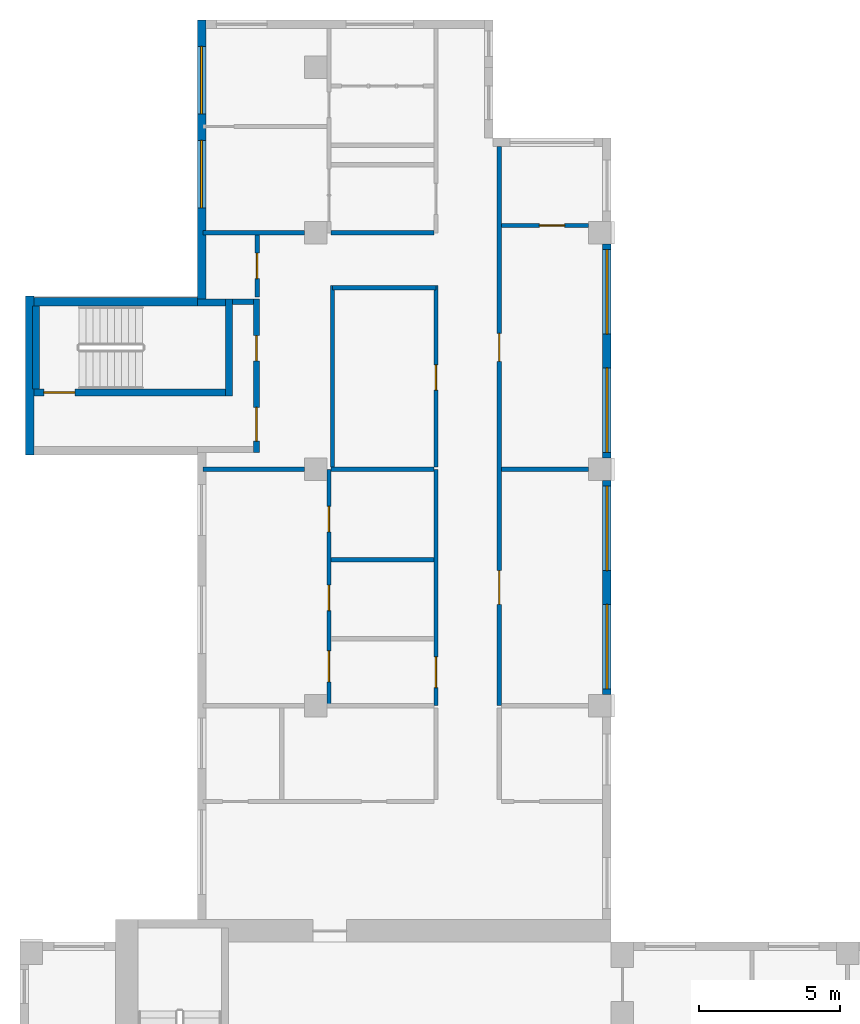
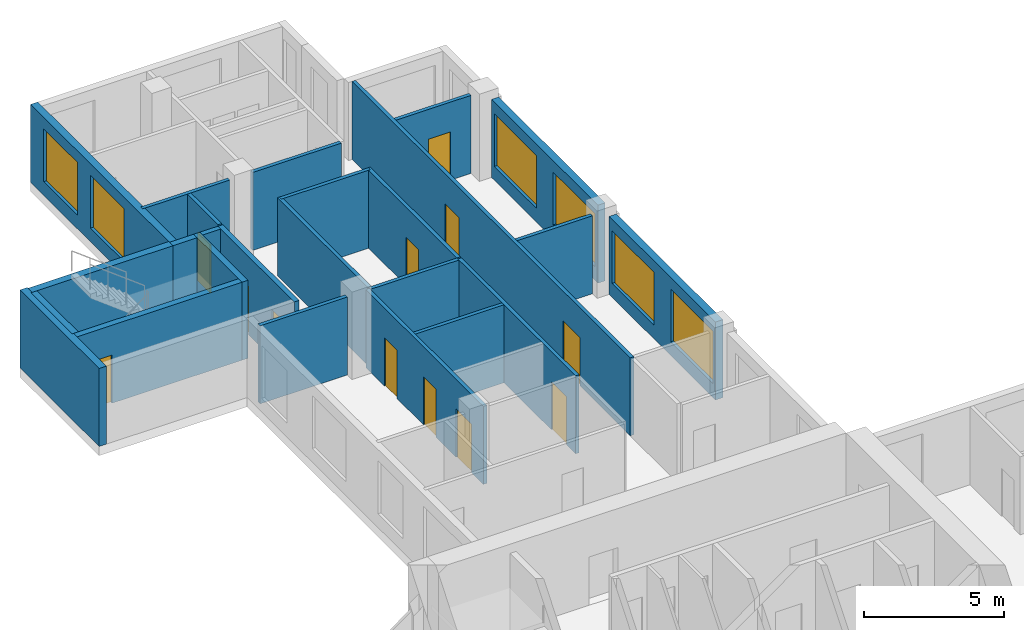
# One storey, part 6 of 11: 25 walls, 12 doors, 6 windows, 18 openings.
"""IFC4 building model written with IfcOpenShell, lengths in metres."""

from ifc_helpers import new_model, si_unit, direction, frame, frame_2d, origin, place, context, subcontext, project, spatial, rectangle, extrude, source, transform, mapped, material, layer, layer_set, type_object, element, fill, save


model = new_model("IFC4")

# Units and contexts
model_context = context("Model", 3, precision=1e-05, world=origin(), true_north=direction((0.0, 1.0)))
body_context = subcontext(model_context, "Body", "Model", "MODEL_VIEW")
ifc_project = project(units=[si_unit("LENGTHUNIT", "METRE"), si_unit("AREAUNIT", "SQUARE_METRE"), si_unit("VOLUMEUNIT", "CUBIC_METRE"), si_unit("PLANEANGLEUNIT", "RADIAN"), si_unit("MASSUNIT", "GRAM", prefix="KILO")], contexts=[model_context])

# Site, building, storey
site_placement = place(None, origin())
site = spatial("IfcSite", under=ifc_project, at=site_placement, CompositionType="ELEMENT")
building_placement = place(site_placement, origin())
building = spatial("IfcBuilding", under=site, at=building_placement, Name="Aurelian Terraces", CompositionType="ELEMENT")
storey_placement = place(building_placement, frame((0.0, 0.0, 265.2)))
storey = spatial("IfcBuildingStorey", under=building, at=storey_placement, Name="L61", CompositionType="ELEMENT", Elevation=265.2)

# Wall
ifc_material_1 = material(Name="Concrete fc' 40 MPa", Category="concrete")
ifc_layer_1 = layer(ifc_material_1, 0.3)
ifc_layer_set_1 = layer_set([ifc_layer_1], Name="STAIR BAY WALL 300")
wall_type_1 = type_object("IfcWallType", Name="STAIR BAY WALL 300", PredefinedType="SOLIDWALL", material=ifc_layer_set_1)
shared_shape_1 = source(origin(), body_context, "Body", "SweptSolid", [
    extrude(rectangle(XDim=6.1, YDim=0.3, at=frame_2d((3.05, 0.0))), origin(), (0.0, 0.0, 1.0), 3.4),
])
wall_1_placement = place(storey_placement, frame((6.3, 43.75, 0.0), z_axis=(0.0, 0.0, 1.0), x_axis=(-1.0, 0.0, 0.0)))
element("IfcWall", 1, at=wall_1_placement, inside=storey, type_object=wall_type_1, Name="Stair bay wall L61 F13.26", PredefinedType="SOLIDWALL", context=body_context, shape_type="MappedRepresentation", body=[
    mapped(shared_shape_1, transform((0.0, 0.0, 0.0), scale=1.0)),
])

# Wall, openings, windows
ifc_material_2 = material(Name="Terracotta rainscreen cladding", Category="masonry")
ifc_layer_2 = layer(ifc_material_2, 0.3)
ifc_layer_set_2 = layer_set([ifc_layer_2], Name="EW-300")
wall_type_2 = type_object("IfcWallType", Name="EW-300", PredefinedType="STANDARD", material=ifc_layer_set_2)
shared_shape_2 = source(origin(), body_context, "Body", "SweptSolid", [
    extrude(rectangle(XDim=9.91, YDim=0.3, at=frame_2d((4.955, 0.0))), origin(), (0.0, 0.0, 1.0), 3.4),
])
wall_2_placement = place(storey_placement, frame((6.45, 53.76, 0.0), z_axis=(0.0, 0.0, 1.0), x_axis=(0.0, -1.0, 0.0)))
wall_2 = element("IfcWall", 2, at=wall_2_placement, inside=storey, type_object=wall_type_2, Name="External wall L61 F12.25", PredefinedType="STANDARD", context=body_context, shape_type="MappedRepresentation", body=[
    mapped(shared_shape_2, transform((0.0, 0.0, 0.0), scale=1.0)),
])
shared_shape_3 = source(origin(), body_context, "Body", "SweptSolid", [
    extrude(rectangle(XDim=2.4, YDim=2.3, at=frame_2d((1.2, 1.15))), frame((0.0, 0.16, 0.0), z_axis=(0.0, -1.0, 0.0), x_axis=(1.0, 0.0, 0.0)), (0.0, 0.0, 1.0), 0.32),
])
opening_1_placement = place(wall_2_placement, frame((4.2725, 0.0, 0.6)))
opening_1 = element("IfcOpeningElement", 3, at=opening_1_placement, cuts=wall_2, Name="Opening W2423", PredefinedType="OPENING", context=body_context, shape_type="MappedRepresentation", body=[
    mapped(shared_shape_3, transform((0.0, 0.0, 0.0), scale=1.0)),
])
opening_2_placement = place(wall_2_placement, frame((0.9363, 0.0, 0.6)))
opening_2 = element("IfcOpeningElement", 4, at=opening_2_placement, cuts=wall_2, Name="Opening W2423", PredefinedType="OPENING", context=body_context, shape_type="MappedRepresentation", body=[
    mapped(shared_shape_3, transform((0.0, 0.0, 0.0), scale=1.0)),
])
ifc_material_3 = material(Name="Clear glazing", Category="glass")
window_type_1 = type_object("IfcWindowType", Name="W-2400x2300", PartitioningType="SINGLE_PANEL", PredefinedType="WINDOW", material=ifc_material_3)
shared_shape_4 = source(origin(), body_context, "Body", "SweptSolid", [
    extrude(rectangle(XDim=2.4, YDim=2.3, at=frame_2d((1.2, 1.15))), frame((0.0, 0.03, 0.0), z_axis=(0.0, -1.0, 0.0), x_axis=(1.0, 0.0, 0.0)), (0.0, 0.0, 1.0), 0.06),
])
window_1_placement = place(opening_1_placement, origin())
window_1 = element("IfcWindow", 5, at=window_1_placement, inside=storey, type_object=window_type_1, Name="Window L61 L61-F12-25-1", OverallHeight=2.3, OverallWidth=2.4, PartitioningType="SINGLE_PANEL", PredefinedType="WINDOW", context=body_context, shape_type="MappedRepresentation", body=[
    mapped(shared_shape_4, transform((0.0, 0.0, 0.0), scale=1.0)),
])
fill(opening_1, window_1)
window_2_placement = place(opening_2_placement, origin())
window_2 = element("IfcWindow", 6, at=window_2_placement, inside=storey, type_object=window_type_1, Name="Window L61 L61-F12-25-G0-0", OverallHeight=2.3, OverallWidth=2.4, PartitioningType="SINGLE_PANEL", PredefinedType="WINDOW", context=body_context, shape_type="MappedRepresentation", body=[
    mapped(shared_shape_4, transform((0.0, 0.0, 0.0), scale=1.0)),
])
fill(opening_2, window_2)

# Wall
shared_shape_5 = source(origin(), body_context, "Body", "SweptSolid", [
    extrude(rectangle(XDim=5.65, YDim=0.3, at=frame_2d((2.825, 0.0))), origin(), (0.0, 0.0, 1.0), 3.4),
])
wall_3_placement = place(storey_placement, frame((0.35, 43.95, 0.0), z_axis=(0.0, 0.0, 1.0), x_axis=(0.0, -1.0, 0.0)))
element("IfcWall", 7, at=wall_3_placement, inside=storey, type_object=wall_type_1, Name="Stair bay wall L61 F14.27", PredefinedType="SOLIDWALL", context=body_context, shape_type="MappedRepresentation", body=[
    mapped(shared_shape_5, transform((0.0, 0.0, 0.0), scale=1.0)),
])

# Wall, openings, windows
shared_shape_6 = source(origin(), body_context, "Body", "SweptSolid", [
    extrude(rectangle(XDim=7.6, YDim=0.3, at=frame_2d((3.8, 0.0))), origin(), (0.0, 0.0, 1.0), 3.4),
])
wall_4_placement = place(storey_placement, frame((20.85, 29.8, 0.0), z_axis=(0.0, 0.0, 1.0), x_axis=(0.0, 1.0, 0.0)))
wall_4 = element("IfcWall", 8, at=wall_4_placement, inside=storey, type_object=wall_type_2, Name="External wall L61 F08.18", PredefinedType="STANDARD", context=body_context, shape_type="MappedRepresentation", body=[
    mapped(shared_shape_6, transform((0.0, 0.0, 0.0), scale=1.0)),
])
shared_shape_7 = source(origin(), body_context, "Body", "SweptSolid", [
    extrude(rectangle(XDim=3.0, YDim=2.3, at=frame_2d((1.5, 1.15))), frame((0.0, 0.16, 0.0), z_axis=(0.0, -1.0, 0.0), x_axis=(1.0, 0.0, 0.0)), (0.0, 0.0, 1.0), 0.32),
])
opening_3_placement = place(wall_4_placement, frame((0.2, 0.0, 0.6)))
opening_3 = element("IfcOpeningElement", 9, at=opening_3_placement, cuts=wall_4, Name="Opening W3023", PredefinedType="OPENING", context=body_context, shape_type="MappedRepresentation", body=[
    mapped(shared_shape_7, transform((0.0, 0.0, 0.0), scale=1.0)),
])
opening_4_placement = place(wall_4_placement, frame((4.4, 0.0, 0.6)))
opening_4 = element("IfcOpeningElement", 10, at=opening_4_placement, cuts=wall_4, Name="Opening W3023", PredefinedType="OPENING", context=body_context, shape_type="MappedRepresentation", body=[
    mapped(shared_shape_7, transform((0.0, 0.0, 0.0), scale=1.0)),
])
window_type_2 = type_object("IfcWindowType", Name="W-3000x2300", PartitioningType="SINGLE_PANEL", PredefinedType="WINDOW", material=ifc_material_3)
shared_shape_8 = source(origin(), body_context, "Body", "SweptSolid", [
    extrude(rectangle(XDim=3.0, YDim=2.3, at=frame_2d((1.5, 1.15))), frame((0.0, 0.03, 0.0), z_axis=(0.0, -1.0, 0.0), x_axis=(1.0, 0.0, 0.0)), (0.0, 0.0, 1.0), 0.06),
])
window_3_placement = place(opening_3_placement, origin())
window_3 = element("IfcWindow", 11, at=window_3_placement, inside=storey, type_object=window_type_2, Name="Window L61 L61-F08-18-0", OverallHeight=2.3, OverallWidth=3.0, PartitioningType="SINGLE_PANEL", PredefinedType="WINDOW", context=body_context, shape_type="MappedRepresentation", body=[
    mapped(shared_shape_8, transform((0.0, 0.0, 0.0), scale=1.0)),
])
fill(opening_3, window_3)
window_4_placement = place(opening_4_placement, origin())
window_4 = element("IfcWindow", 12, at=window_4_placement, inside=storey, type_object=window_type_2, Name="Window L61 L61-F08-18-1", OverallHeight=2.3, OverallWidth=3.0, PartitioningType="SINGLE_PANEL", PredefinedType="WINDOW", context=body_context, shape_type="MappedRepresentation", body=[
    mapped(shared_shape_8, transform((0.0, 0.0, 0.0), scale=1.0)),
])
fill(opening_4, window_4)

wall_5_placement = place(storey_placement, frame((20.85, 38.2, 0.0), z_axis=(0.0, 0.0, 1.0), x_axis=(0.0, 1.0, 0.0)))
wall_5 = element("IfcWall", 13, at=wall_5_placement, inside=storey, type_object=wall_type_2, Name="External wall L61 F08.19", PredefinedType="STANDARD", context=body_context, shape_type="MappedRepresentation", body=[
    mapped(shared_shape_6, transform((0.0, 0.0, 0.0), scale=1.0)),
])
opening_5_placement = place(wall_5_placement, frame((0.2, 0.0, 0.6)))
opening_5 = element("IfcOpeningElement", 14, at=opening_5_placement, cuts=wall_5, Name="Opening W3023", PredefinedType="OPENING", context=body_context, shape_type="MappedRepresentation", body=[
    mapped(shared_shape_7, transform((0.0, 0.0, 0.0), scale=1.0)),
])
opening_6_placement = place(wall_5_placement, frame((4.4, 0.0, 0.6)))
opening_6 = element("IfcOpeningElement", 15, at=opening_6_placement, cuts=wall_5, Name="Opening W3023", PredefinedType="OPENING", context=body_context, shape_type="MappedRepresentation", body=[
    mapped(shared_shape_7, transform((0.0, 0.0, 0.0), scale=1.0)),
])
window_5_placement = place(opening_5_placement, origin())
window_5 = element("IfcWindow", 16, at=window_5_placement, inside=storey, type_object=window_type_2, Name="Window L61 L61-F08-19-0", OverallHeight=2.3, OverallWidth=3.0, PartitioningType="SINGLE_PANEL", PredefinedType="WINDOW", context=body_context, shape_type="MappedRepresentation", body=[
    mapped(shared_shape_8, transform((0.0, 0.0, 0.0), scale=1.0)),
])
fill(opening_5, window_5)
window_6_placement = place(opening_6_placement, origin())
window_6 = element("IfcWindow", 17, at=window_6_placement, inside=storey, type_object=window_type_2, Name="Window L61 L61-F08-19-1", OverallHeight=2.3, OverallWidth=3.0, PartitioningType="SINGLE_PANEL", PredefinedType="WINDOW", context=body_context, shape_type="MappedRepresentation", body=[
    mapped(shared_shape_8, transform((0.0, 0.0, 0.0), scale=1.0)),
])
fill(opening_6, window_6)

# Wall, opening, door
ifc_layer_3 = layer(ifc_material_1, 0.25)
ifc_layer_set_3 = layer_set([ifc_layer_3], Name="Stair enclosure wall 250")
wall_type_3 = type_object("IfcWallType", Name="Stair enclosure wall 250", PredefinedType="SOLIDWALL", material=ifc_layer_set_3)
shared_shape_9 = source(origin(), body_context, "Body", "SweptSolid", [
    extrude(rectangle(XDim=7.0, YDim=0.25, at=frame_2d((3.5, 0.0))), origin(), (0.0, 0.0, 1.0), 3.4),
])
wall_6_placement = place(storey_placement, frame((0.3, 40.525, 0.0), z_axis=(0.0, 0.0, 1.0), x_axis=(1.0, 0.0, 0.0)))
wall_6 = element("IfcWall", 18, at=wall_6_placement, inside=storey, type_object=wall_type_3, Name="L61 core wall ST-S3-W", PredefinedType="SOLIDWALL", context=body_context, shape_type="MappedRepresentation", body=[
    mapped(shared_shape_9, transform((0.0, 0.0, 0.0), scale=1.0)),
])
shared_shape_10 = source(origin(), body_context, "Body", "SweptSolid", [
    extrude(rectangle(XDim=1.1, YDim=2.1, at=frame_2d((0.55, 1.05))), frame((0.0, 0.135, 0.0), z_axis=(0.0, -1.0, 0.0), x_axis=(1.0, 0.0, 0.0)), (0.0, 0.0, 1.0), 0.27),
])
opening_7_placement = place(wall_6_placement, frame((0.55, 0.0, 0.0)))
opening_7 = element("IfcOpeningElement", 19, at=opening_7_placement, cuts=wall_6, Name="Opening 66420", PredefinedType="OPENING", context=body_context, shape_type="MappedRepresentation", body=[
    mapped(shared_shape_10, transform((0.0, 0.0, 0.0), scale=1.0)),
])
ifc_material_4 = material(Name="Steel door leaf", Category="steel")
door_type_1 = type_object("IfcDoorType", Name="Core fire door 1100x2100", OperationType="SINGLE_SWING_LEFT", PredefinedType="DOOR", material=ifc_material_4)
shared_shape_11 = source(origin(), body_context, "Body", "SweptSolid", [
    extrude(rectangle(XDim=1.1, YDim=2.1, at=frame_2d((0.55, 1.05))), frame((0.0, 0.025, 0.0), z_axis=(0.0, -1.0, 0.0), x_axis=(1.0, 0.0, 0.0)), (0.0, 0.0, 1.0), 0.05),
])
door_1_placement = place(opening_7_placement, origin())
door_1 = element("IfcDoor", 20, at=door_1_placement, inside=storey, type_object=door_type_1, Name="Stair door 66420", OperationType="SINGLE_SWING_LEFT", OverallHeight=2.1, OverallWidth=1.1, PredefinedType="DOOR", context=body_context, shape_type="MappedRepresentation", body=[
    mapped(shared_shape_11, transform((0.0, 0.0, 0.0), scale=1.0)),
])
fill(opening_7, door_1)

# Walls
shared_shape_12 = source(origin(), body_context, "Body", "SweptSolid", [
    extrude(rectangle(XDim=3.45, YDim=0.25, at=frame_2d((1.725, 0.0))), origin(), (0.0, 0.0, 1.0), 3.4),
])
wall_7_placement = place(storey_placement, frame((7.425, 40.4, 0.0), z_axis=(0.0, 0.0, 1.0), x_axis=(0.0, 1.0, 0.0)))
element("IfcWall", 21, at=wall_7_placement, inside=storey, type_object=wall_type_3, Name="L61 core wall ST-S3-N", PredefinedType="SOLIDWALL", context=body_context, shape_type="MappedRepresentation", body=[
    mapped(shared_shape_12, transform((0.0, 0.0, 0.0), scale=1.0)),
])
shared_shape_13 = source(origin(), body_context, "Body", "SweptSolid", [
    extrude(rectangle(XDim=2.95, YDim=0.25, at=frame_2d((1.475, 0.0))), origin(), (0.0, 0.0, 1.0), 3.4),
])
wall_8_placement = place(storey_placement, frame((0.575, 40.65, 0.0), z_axis=(0.0, 0.0, 1.0), x_axis=(0.0, 1.0, 0.0)))
element("IfcWall", 22, at=wall_8_placement, inside=storey, type_object=wall_type_3, Name="L61 core wall ST-S3-SS", PredefinedType="SOLIDWALL", context=body_context, shape_type="MappedRepresentation", body=[
    mapped(shared_shape_13, transform((0.0, 0.0, 0.0), scale=1.0)),
])

# Wall, openings, doors
ifc_material_5 = material(Name="Gypsum board on steel studs", Category="steel")
ifc_layer_4 = layer(ifc_material_5, 0.2)
ifc_layer_set_4 = layer_set([ifc_layer_4], Name="Core partition 200")
wall_type_4 = type_object("IfcWallType", Name="Core partition 200", PredefinedType="PARTITIONING", material=ifc_layer_set_4)
shared_shape_14 = source(origin(), body_context, "Body", "SweptSolid", [
    extrude(rectangle(XDim=5.45, YDim=0.2, at=frame_2d((2.725, 0.0))), origin(), (0.0, 0.0, 1.0), 3.4),
])
wall_9_placement = place(storey_placement, frame((8.4, 38.4, 0.0), z_axis=(0.0, 0.0, 1.0), x_axis=(0.0, 1.0, 0.0)))
wall_9 = element("IfcWall", 23, at=wall_9_placement, inside=storey, type_object=wall_type_4, Name="L61 core wall ST-S3-BN", PredefinedType="PARTITIONING", context=body_context, shape_type="MappedRepresentation", body=[
    mapped(shared_shape_14, transform((0.0, 0.0, 0.0), scale=1.0)),
])
shared_shape_15 = source(origin(), body_context, "Body", "SweptSolid", [
    extrude(rectangle(XDim=1.2, YDim=2.1, at=frame_2d((0.6, 1.05))), frame((0.0, 0.11, 0.0), z_axis=(0.0, -1.0, 0.0), x_axis=(1.0, 0.0, 0.0)), (0.0, 0.0, 1.0), 0.22),
])
opening_8_placement = place(wall_9_placement, frame((0.4, 0.0, 0.0)))
opening_8 = element("IfcOpeningElement", 24, at=opening_8_placement, cuts=wall_9, Name="Opening 66421", PredefinedType="OPENING", context=body_context, shape_type="MappedRepresentation", body=[
    mapped(shared_shape_15, transform((0.0, 0.0, 0.0), scale=1.0)),
])
shared_shape_16 = source(origin(), body_context, "Body", "SweptSolid", [
    extrude(rectangle(XDim=0.9, YDim=2.1, at=frame_2d((0.45, 1.05))), frame((0.0, 0.11, 0.0), z_axis=(0.0, -1.0, 0.0), x_axis=(1.0, 0.0, 0.0)), (0.0, 0.0, 1.0), 0.22),
])
opening_9_placement = place(wall_9_placement, frame((3.25, 0.0, 0.0)))
opening_9 = element("IfcOpeningElement", 25, at=opening_9_placement, cuts=wall_9, Name="Opening 66422", PredefinedType="OPENING", context=body_context, shape_type="MappedRepresentation", body=[
    mapped(shared_shape_16, transform((0.0, 0.0, 0.0), scale=1.0)),
])
door_type_2 = type_object("IfcDoorType", Name="Core riser door 900x2100", OperationType="SINGLE_SWING_LEFT", PredefinedType="DOOR", material=ifc_material_4)
shared_shape_17 = source(origin(), body_context, "Body", "SweptSolid", [
    extrude(rectangle(XDim=0.9, YDim=2.1, at=frame_2d((0.45, 1.05))), frame((0.0, 0.025, 0.0), z_axis=(0.0, -1.0, 0.0), x_axis=(1.0, 0.0, 0.0)), (0.0, 0.0, 1.0), 0.05),
])
door_2_placement = place(opening_9_placement, origin())
door_2 = element("IfcDoor", 26, at=door_2_placement, inside=storey, type_object=door_type_2, Name="Riser door 66422", OperationType="SINGLE_SWING_LEFT", OverallHeight=2.1, OverallWidth=0.9, PredefinedType="DOOR", context=body_context, shape_type="MappedRepresentation", body=[
    mapped(shared_shape_17, transform((0.0, 0.0, 0.0), scale=1.0)),
])
fill(opening_9, door_2)
door_type_3 = type_object("IfcDoorType", Name="Core fire door 1200x2100 right", OperationType="SINGLE_SWING_RIGHT", PredefinedType="DOOR", material=ifc_material_4)
shared_shape_18 = source(origin(), body_context, "Body", "SweptSolid", [
    extrude(rectangle(XDim=1.2, YDim=2.1, at=frame_2d((0.6, 1.05))), frame((0.0, 0.025, 0.0), z_axis=(0.0, -1.0, 0.0), x_axis=(1.0, 0.0, 0.0)), (0.0, 0.0, 1.0), 0.05),
])
door_3_placement = place(opening_8_placement, origin())
door_3 = element("IfcDoor", 27, at=door_3_placement, inside=storey, type_object=door_type_3, Name="Vestibule door 66421", OperationType="SINGLE_SWING_RIGHT", OverallHeight=2.1, OverallWidth=1.2, PredefinedType="DOOR", context=body_context, shape_type="MappedRepresentation", body=[
    mapped(shared_shape_18, transform((0.0, 0.0, 0.0), scale=1.0)),
])
fill(opening_8, door_3)

# Walls
shared_shape_19 = source(origin(), body_context, "Body", "SweptSolid", [
    extrude(rectangle(XDim=0.75, YDim=0.2, at=frame_2d((0.375, 0.0))), origin(), (0.0, 0.0, 1.0), 3.4),
])
wall_10_placement = place(storey_placement, frame((7.55, 43.75, 0.0), z_axis=(0.0, 0.0, 1.0), x_axis=(1.0, 0.0, 0.0)))
element("IfcWall", 28, at=wall_10_placement, inside=storey, type_object=wall_type_4, Name="L61 core wall ST-S3-RE", PredefinedType="PARTITIONING", context=body_context, shape_type="MappedRepresentation", body=[
    mapped(shared_shape_19, transform((0.0, 0.0, 0.0), scale=1.0)),
])
shared_shape_20 = source(origin(), body_context, "Body", "SweptSolid", [
    extrude(rectangle(XDim=1.0, YDim=0.25, at=frame_2d((0.5, 0.0))), origin(), (0.0, 0.0, 1.0), 3.4),
])
wall_11_placement = place(storey_placement, frame((6.3, 43.725, 0.0), z_axis=(0.0, 0.0, 1.0), x_axis=(1.0, 0.0, 0.0)))
element("IfcWall", 29, at=wall_11_placement, inside=storey, type_object=wall_type_3, Name="L61 core wall ST-S3-E", PredefinedType="SOLIDWALL", context=body_context, shape_type="MappedRepresentation", body=[
    mapped(shared_shape_20, transform((0.0, 0.0, 0.0), scale=1.0)),
])
ifc_layer_5 = layer(ifc_material_5, 0.15)
ifc_layer_set_5 = layer_set([ifc_layer_5], Name="Partition 150")
wall_type_5 = type_object("IfcWallType", Name="Partition 150", PredefinedType="PARTITIONING", material=ifc_layer_set_5)
shared_shape_21 = source(origin(), body_context, "Body", "SweptSolid", [
    extrude(rectangle(XDim=6.45, YDim=0.15, at=frame_2d((3.225, 0.0))), origin(), (0.0, 0.0, 1.0), 3.4),
])
wall_12_placement = place(storey_placement, frame((11.1, 44.325, 0.0), z_axis=(0.0, 0.0, 1.0), x_axis=(0.0, -1.0, 0.0)))
element("IfcWall", 30, at=wall_12_placement, inside=storey, type_object=wall_type_5, Name="Partition", PredefinedType="PARTITIONING", context=body_context, shape_type="MappedRepresentation", body=[
    mapped(shared_shape_21, transform((0.0, 0.0, 0.0), scale=1.0)),
])

# Wall, opening, door
ifc_layer_6 = layer(ifc_material_5, 0.15)
ifc_layer_set_6 = layer_set([ifc_layer_6], Name="Fire partition 150")
wall_type_6 = type_object("IfcWallType", Name="Fire partition 150", PredefinedType="PARTITIONING", material=ifc_layer_set_6)
wall_13_placement = place(storey_placement, frame((14.775, 37.875, 0.0), z_axis=(0.0, 0.0, 1.0), x_axis=(0.0, 1.0, 0.0)))
wall_13 = element("IfcWall", 31, at=wall_13_placement, inside=storey, type_object=wall_type_6, Name="Corridor wall", PredefinedType="PARTITIONING", context=body_context, shape_type="MappedRepresentation", body=[
    mapped(shared_shape_21, transform((0.0, 0.0, 0.0), scale=1.0)),
])
shared_shape_22 = source(origin(), body_context, "Body", "SweptSolid", [
    extrude(rectangle(XDim=0.9, YDim=2.1, at=frame_2d((0.45, 1.05))), frame((0.0, 0.085, 0.0), z_axis=(0.0, -1.0, 0.0), x_axis=(1.0, 0.0, 0.0)), (0.0, 0.0, 1.0), 0.17),
])
opening_10_placement = place(wall_13_placement, frame((2.7375, 0.0, 0.0)))
opening_10 = element("IfcOpeningElement", 32, at=opening_10_placement, cuts=wall_13, Name="Opening 761025", PredefinedType="OPENING", context=body_context, shape_type="MappedRepresentation", body=[
    mapped(shared_shape_22, transform((0.0, 0.0, 0.0), scale=1.0)),
])
ifc_material_6 = material(Name="Timber door leaf", Category="wood")
door_type_4 = type_object("IfcDoorType", Name="Room door 900x2100 right", OperationType="SINGLE_SWING_RIGHT", PredefinedType="DOOR", material=ifc_material_6)
door_4_placement = place(opening_10_placement, origin())
door_4 = element("IfcDoor", 33, at=door_4_placement, inside=storey, type_object=door_type_4, Name="Door 761025", OperationType="SINGLE_SWING_RIGHT", OverallHeight=2.1, OverallWidth=0.9, PredefinedType="DOOR", context=body_context, shape_type="MappedRepresentation", body=[
    mapped(shared_shape_17, transform((0.0, 0.0, 0.0), scale=1.0)),
])
fill(opening_10, door_4)

# Wall, openings, doors
shared_shape_23 = source(origin(), body_context, "Body", "SweptSolid", [
    extrude(rectangle(XDim=8.4, YDim=0.15, at=frame_2d((4.2, 0.0))), origin(), (0.0, 0.0, 1.0), 3.4),
])
wall_14_placement = place(storey_placement, frame((10.975, 29.4, 0.0), z_axis=(0.0, 0.0, 1.0), x_axis=(0.0, 1.0, 0.0)))
wall_14 = element("IfcWall", 34, at=wall_14_placement, inside=storey, type_object=wall_type_5, Name="Partition", PredefinedType="PARTITIONING", context=body_context, shape_type="MappedRepresentation", body=[
    mapped(shared_shape_23, transform((0.0, 0.0, 0.0), scale=1.0)),
])
shared_shape_24 = source(origin(), body_context, "Body", "SweptSolid", [
    extrude(rectangle(XDim=1.1, YDim=2.1, at=frame_2d((0.55, 1.05))), frame((0.0, 0.085, 0.0), z_axis=(0.0, -1.0, 0.0), x_axis=(1.0, 0.0, 0.0)), (0.0, 0.0, 1.0), 0.17),
])
opening_11_placement = place(wall_14_placement, frame((0.851, 0.0, 0.0)))
opening_11 = element("IfcOpeningElement", 35, at=opening_11_placement, cuts=wall_14, Name="Opening 761028", PredefinedType="OPENING", context=body_context, shape_type="MappedRepresentation", body=[
    mapped(shared_shape_24, transform((0.0, 0.0, 0.0), scale=1.0)),
])
opening_12_placement = place(wall_14_placement, frame((3.3799, 0.0, 0.0)))
opening_12 = element("IfcOpeningElement", 36, at=opening_12_placement, cuts=wall_14, Name="Opening 761029", PredefinedType="OPENING", context=body_context, shape_type="MappedRepresentation", body=[
    mapped(shared_shape_22, transform((0.0, 0.0, 0.0), scale=1.0)),
])
opening_13_placement = place(wall_14_placement, frame((6.1788, 0.0, 0.0)))
opening_13 = element("IfcOpeningElement", 37, at=opening_13_placement, cuts=wall_14, Name="Opening 761030", PredefinedType="OPENING", context=body_context, shape_type="MappedRepresentation", body=[
    mapped(shared_shape_22, transform((0.0, 0.0, 0.0), scale=1.0)),
])
door_type_5 = type_object("IfcDoorType", Name="Room door 900x2100 left", OperationType="SINGLE_SWING_LEFT", PredefinedType="DOOR", material=ifc_material_6)
door_5_placement = place(opening_12_placement, origin())
door_5 = element("IfcDoor", 38, at=door_5_placement, inside=storey, type_object=door_type_5, Name="Door 761029", OperationType="SINGLE_SWING_LEFT", OverallHeight=2.1, OverallWidth=0.9, PredefinedType="DOOR", context=body_context, shape_type="MappedRepresentation", body=[
    mapped(shared_shape_17, transform((0.0, 0.0, 0.0), scale=1.0)),
])
fill(opening_12, door_5)
door_6_placement = place(opening_13_placement, origin())
door_6 = element("IfcDoor", 39, at=door_6_placement, inside=storey, type_object=door_type_4, Name="Door 761030", OperationType="SINGLE_SWING_RIGHT", OverallHeight=2.1, OverallWidth=0.9, PredefinedType="DOOR", context=body_context, shape_type="MappedRepresentation", body=[
    mapped(shared_shape_17, transform((0.0, 0.0, 0.0), scale=1.0)),
])
fill(opening_13, door_6)
door_type_6 = type_object("IfcDoorType", Name="Room door 1100x2100 right", OperationType="SINGLE_SWING_RIGHT", PredefinedType="DOOR", material=ifc_material_6)
door_7_placement = place(opening_11_placement, origin())
door_7 = element("IfcDoor", 40, at=door_7_placement, inside=storey, type_object=door_type_6, Name="Door 761028", OperationType="SINGLE_SWING_RIGHT", OverallHeight=2.1, OverallWidth=1.1, PredefinedType="DOOR", context=body_context, shape_type="MappedRepresentation", body=[
    mapped(shared_shape_11, transform((0.0, 0.0, 0.0), scale=1.0)),
])
fill(opening_11, door_7)

# Wall, opening, door
wall_15_placement = place(storey_placement, frame((14.775, 29.4, 0.0), z_axis=(0.0, 0.0, 1.0), x_axis=(0.0, 1.0, 0.0)))
wall_15 = element("IfcWall", 41, at=wall_15_placement, inside=storey, type_object=wall_type_6, Name="Corridor wall", PredefinedType="PARTITIONING", context=body_context, shape_type="MappedRepresentation", body=[
    mapped(shared_shape_23, transform((0.0, 0.0, 0.0), scale=1.0)),
])
opening_14_placement = place(wall_15_placement, frame((0.6385, 0.0, 0.0)))
opening_14 = element("IfcOpeningElement", 42, at=opening_14_placement, cuts=wall_15, Name="Opening 761027", PredefinedType="OPENING", context=body_context, shape_type="MappedRepresentation", body=[
    mapped(shared_shape_24, transform((0.0, 0.0, 0.0), scale=1.0)),
])
door_type_7 = type_object("IfcDoorType", Name="Entrance fire door 1100x2100 left", OperationType="SINGLE_SWING_LEFT", PredefinedType="DOOR", material=ifc_material_4)
door_8_placement = place(opening_14_placement, origin())
door_8 = element("IfcDoor", 43, at=door_8_placement, inside=storey, type_object=door_type_7, Name="Door 761027", OperationType="SINGLE_SWING_LEFT", OverallHeight=2.1, OverallWidth=1.1, PredefinedType="DOOR", context=body_context, shape_type="MappedRepresentation", body=[
    mapped(shared_shape_11, transform((0.0, 0.0, 0.0), scale=1.0)),
])
fill(opening_14, door_8)

shared_shape_25 = source(origin(), body_context, "Body", "SweptSolid", [
    extrude(rectangle(XDim=2.2, YDim=0.15, at=frame_2d((1.1, 0.0))), origin(), (0.0, 0.0, 1.0), 3.4),
])
wall_16_placement = place(storey_placement, frame((8.425, 43.925, 0.0), z_axis=(0.0, 0.0, 1.0), x_axis=(0.0, 1.0, 0.0)))
wall_16 = element("IfcWall", 44, at=wall_16_placement, inside=storey, type_object=wall_type_5, Name="Partition", PredefinedType="PARTITIONING", context=body_context, shape_type="MappedRepresentation", body=[
    mapped(shared_shape_25, transform((0.0, 0.0, 0.0), scale=1.0)),
])
opening_15_placement = place(wall_16_placement, frame((0.65, 0.0, 0.0)))
opening_15 = element("IfcOpeningElement", 45, at=opening_15_placement, cuts=wall_16, Name="Opening 761026", PredefinedType="OPENING", context=body_context, shape_type="MappedRepresentation", body=[
    mapped(shared_shape_22, transform((0.0, 0.0, 0.0), scale=1.0)),
])
door_9_placement = place(opening_15_placement, origin())
door_9 = element("IfcDoor", 46, at=door_9_placement, inside=storey, type_object=door_type_4, Name="Door 761026", OperationType="SINGLE_SWING_RIGHT", OverallHeight=2.1, OverallWidth=0.9, PredefinedType="DOOR", context=body_context, shape_type="MappedRepresentation", body=[
    mapped(shared_shape_17, transform((0.0, 0.0, 0.0), scale=1.0)),
])
fill(opening_15, door_9)

# Wall, openings, doors
shared_shape_26 = source(origin(), body_context, "Body", "SweptSolid", [
    extrude(rectangle(XDim=19.86, YDim=0.15, at=frame_2d((9.93, 0.0))), origin(), (0.0, 0.0, 1.0), 3.4),
])
wall_17_placement = place(storey_placement, frame((17.025, 49.26, 0.0), z_axis=(0.0, 0.0, 1.0), x_axis=(0.0, -1.0, 0.0)))
wall_17 = element("IfcWall", 47, at=wall_17_placement, inside=storey, type_object=wall_type_6, Name="Corridor wall", PredefinedType="PARTITIONING", context=body_context, shape_type="MappedRepresentation", body=[
    mapped(shared_shape_26, transform((0.0, 0.0, 0.0), scale=1.0)),
])
shared_shape_27 = source(origin(), body_context, "Body", "SweptSolid", [
    extrude(rectangle(XDim=1.2, YDim=2.1, at=frame_2d((0.6, 1.05))), frame((0.0, 0.085, 0.0), z_axis=(0.0, -1.0, 0.0), x_axis=(1.0, 0.0, 0.0)), (0.0, 0.0, 1.0), 0.17),
])
opening_16_placement = place(wall_17_placement, frame((15.06, 0.0, 0.0)))
opening_16 = element("IfcOpeningElement", 48, at=opening_16_placement, cuts=wall_17, Name="Opening 761036", PredefinedType="OPENING", context=body_context, shape_type="MappedRepresentation", body=[
    mapped(shared_shape_27, transform((0.0, 0.0, 0.0), scale=1.0)),
])
shared_shape_28 = source(origin(), body_context, "Body", "SweptSolid", [
    extrude(rectangle(XDim=1.0, YDim=2.1, at=frame_2d((0.5, 1.05))), frame((0.0, 0.085, 0.0), z_axis=(0.0, -1.0, 0.0), x_axis=(1.0, 0.0, 0.0)), (0.0, 0.0, 1.0), 0.17),
])
opening_17_placement = place(wall_17_placement, frame((6.63, 0.0, 0.0)))
opening_17 = element("IfcOpeningElement", 49, at=opening_17_placement, cuts=wall_17, Name="Opening 761037", PredefinedType="OPENING", context=body_context, shape_type="MappedRepresentation", body=[
    mapped(shared_shape_28, transform((0.0, 0.0, 0.0), scale=1.0)),
])
door_type_8 = type_object("IfcDoorType", Name="Entrance fire door 1000x2100 left", OperationType="SINGLE_SWING_LEFT", PredefinedType="DOOR", material=ifc_material_4)
shared_shape_29 = source(origin(), body_context, "Body", "SweptSolid", [
    extrude(rectangle(XDim=1.0, YDim=2.1, at=frame_2d((0.5, 1.05))), frame((0.0, 0.025, 0.0), z_axis=(0.0, -1.0, 0.0), x_axis=(1.0, 0.0, 0.0)), (0.0, 0.0, 1.0), 0.05),
])
door_10_placement = place(opening_17_placement, origin())
door_10 = element("IfcDoor", 50, at=door_10_placement, inside=storey, type_object=door_type_8, Name="Door 761037", OperationType="SINGLE_SWING_LEFT", OverallHeight=2.1, OverallWidth=1.0, PredefinedType="DOOR", context=body_context, shape_type="MappedRepresentation", body=[
    mapped(shared_shape_29, transform((0.0, 0.0, 0.0), scale=1.0)),
])
fill(opening_17, door_10)
door_type_9 = type_object("IfcDoorType", Name="Entrance fire door 1200x2100 left", OperationType="SINGLE_SWING_LEFT", PredefinedType="DOOR", material=ifc_material_4)
door_11_placement = place(opening_16_placement, origin())
door_11 = element("IfcDoor", 51, at=door_11_placement, inside=storey, type_object=door_type_9, Name="Door 761036", OperationType="SINGLE_SWING_LEFT", OverallHeight=2.1, OverallWidth=1.2, PredefinedType="DOOR", context=body_context, shape_type="MappedRepresentation", body=[
    mapped(shared_shape_18, transform((0.0, 0.0, 0.0), scale=1.0)),
])
fill(opening_16, door_11)

# Wall, opening, door
shared_shape_30 = source(origin(), body_context, "Body", "SweptSolid", [
    extrude(rectangle(XDim=3.101, YDim=0.15, at=frame_2d((1.5505, 0.0))), origin(), (0.0, 0.0, 1.0), 3.4),
])
wall_18_placement = place(storey_placement, frame((17.1, 46.46, 0.0), z_axis=(0.0, 0.0, 1.0), x_axis=(1.0, 0.0, 0.0)))
wall_18 = element("IfcWall", 52, at=wall_18_placement, inside=storey, type_object=wall_type_5, Name="Partition", PredefinedType="PARTITIONING", context=body_context, shape_type="MappedRepresentation", body=[
    mapped(shared_shape_30, transform((0.0, 0.0, 0.0), scale=1.0)),
])
opening_18_placement = place(wall_18_placement, frame((1.35, 0.0, 0.0)))
opening_18 = element("IfcOpeningElement", 53, at=opening_18_placement, cuts=wall_18, Name="Opening 761038", PredefinedType="OPENING", context=body_context, shape_type="MappedRepresentation", body=[
    mapped(shared_shape_22, transform((0.0, 0.0, 0.0), scale=1.0)),
])
door_12_placement = place(opening_18_placement, origin())
door_12 = element("IfcDoor", 54, at=door_12_placement, inside=storey, type_object=door_type_4, Name="Door 761038", OperationType="SINGLE_SWING_RIGHT", OverallHeight=2.1, OverallWidth=0.9, PredefinedType="DOOR", context=body_context, shape_type="MappedRepresentation", body=[
    mapped(shared_shape_17, transform((0.0, 0.0, 0.0), scale=1.0)),
])
fill(opening_18, door_12)

# Walls
wall_19_placement = place(storey_placement, frame((20.201, 37.8, 0.0), z_axis=(0.0, 0.0, 1.0), x_axis=(-1.0, 0.0, 0.0)))
element("IfcWall", 55, at=wall_19_placement, inside=storey, type_object=wall_type_6, Name="Party wall", PredefinedType="PARTITIONING", context=body_context, shape_type="MappedRepresentation", body=[
    mapped(shared_shape_30, transform((0.0, 0.0, 0.0), scale=1.0)),
])
shared_shape_31 = source(origin(), body_context, "Body", "SweptSolid", [
    extrude(rectangle(XDim=3.596, YDim=0.15, at=frame_2d((1.798, 0.0))), origin(), (0.0, 0.0, 1.0), 3.4),
])
for number, where, z_axis, x_axis, name in (
    (56, (10.101, 37.8, 0.0), (0.0, 0.0, 1.0), (-1.0, 0.0, 0.0), "Party wall"),
    (57, (10.101, 46.2, 0.0), (0.0, 0.0, 1.0), (-1.0, 0.0, 0.0), "Party wall"),
):
    element("IfcWall", number, at=place(storey_placement, frame(where, z_axis=z_axis, x_axis=x_axis)), inside=storey, type_object=wall_type_6, Name=name, PredefinedType="PARTITIONING", context=body_context, shape_type="MappedRepresentation", body=[
        mapped(shared_shape_31, transform((0.0, 0.0, 0.0), scale=1.0)),
    ])
shared_shape_32 = source(origin(), body_context, "Body", "SweptSolid", [
    extrude(rectangle(XDim=3.65, YDim=0.15, at=frame_2d((1.825, 0.0))), origin(), (0.0, 0.0, 1.0), 3.4),
])
wall_20_placement = place(storey_placement, frame((14.7, 34.5827, 0.0), z_axis=(0.0, 0.0, 1.0), x_axis=(-1.0, 0.0, 0.0)))
element("IfcWall", 58, at=wall_20_placement, inside=storey, type_object=wall_type_5, Name="Partition", PredefinedType="PARTITIONING", context=body_context, shape_type="MappedRepresentation", body=[
    mapped(shared_shape_32, transform((0.0, 0.0, 0.0), scale=1.0)),
])
for number, where, z_axis, x_axis, name in (
    (59, (14.7, 37.8, 0.0), (0.0, 0.0, 1.0), (-1.0, 0.0, 0.0), "Party wall"),
    (60, (14.7, 46.2, 0.0), (0.0, 0.0, 1.0), (-1.0, 0.0, 0.0), "Party wall"),
):
    element("IfcWall", number, at=place(storey_placement, frame(where, z_axis=z_axis, x_axis=x_axis)), inside=storey, type_object=wall_type_6, Name=name, PredefinedType="PARTITIONING", context=body_context, shape_type="MappedRepresentation", body=[
        mapped(shared_shape_32, transform((0.0, 0.0, 0.0), scale=1.0)),
    ])
shared_shape_33 = source(origin(), body_context, "Body", "SweptSolid", [
    extrude(rectangle(XDim=3.675, YDim=0.15, at=frame_2d((1.8375, 0.0))), origin(), (0.0, 0.0, 1.0), 3.4),
])
wall_21_placement = place(storey_placement, frame((14.775, 44.25, 0.0), z_axis=(0.0, 0.0, 1.0), x_axis=(-1.0, 0.0, 0.0)))
element("IfcWall", 61, at=wall_21_placement, inside=storey, type_object=wall_type_5, Name="Partition", PredefinedType="PARTITIONING", context=body_context, shape_type="MappedRepresentation", body=[
    mapped(shared_shape_33, transform((0.0, 0.0, 0.0), scale=1.0)),
])

save(model, "model.ifc")
